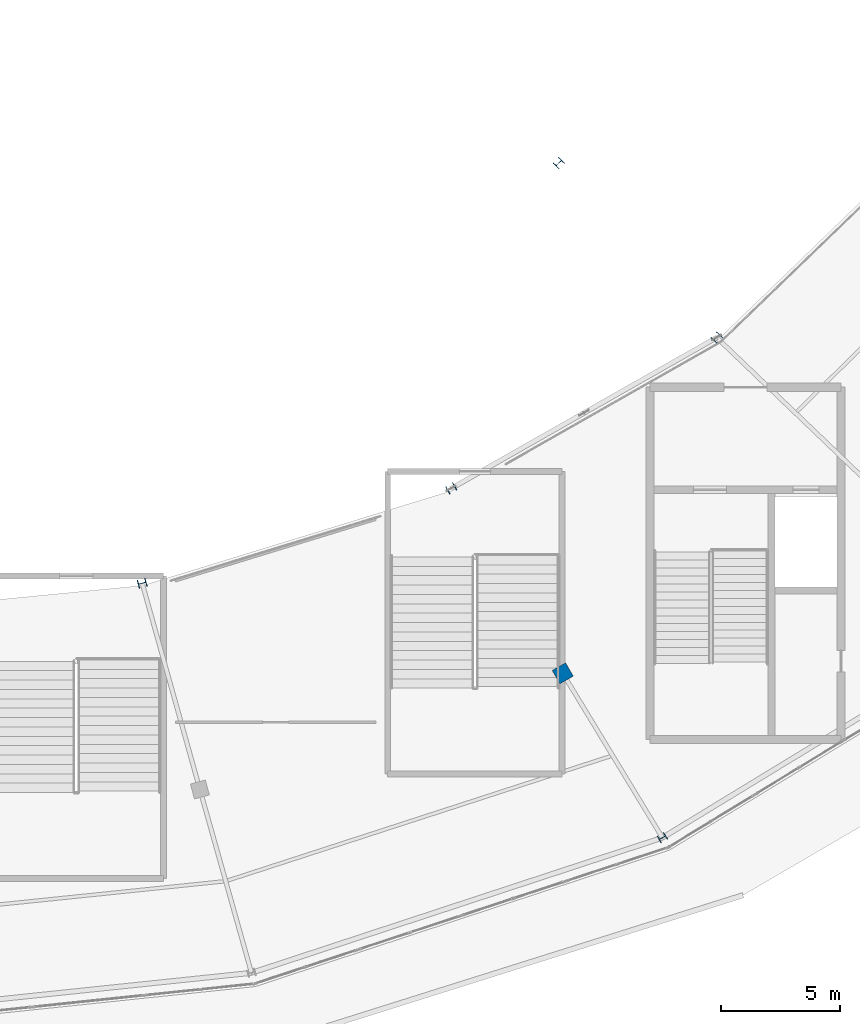
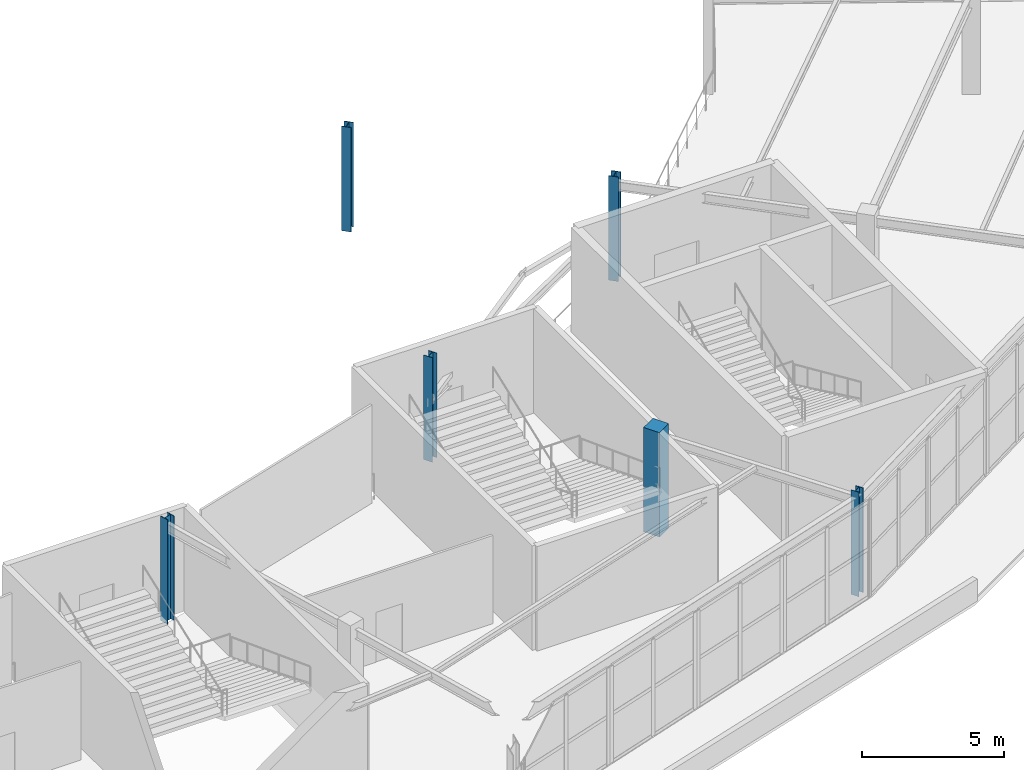
# One storey, part 4 of 126: 6 columns.
"""IFC4 building model written with IfcOpenShell, lengths in metres."""

import ifcopenshell
import ifcopenshell.guid

model = None  # the IFC model being written
_history = None  # IfcOwnerHistory: only IFC2X3 demands one
_inside = {}  # id of a spatial element -> (the spatial element, [elements in it])
_under = {}  # id of a project, library or spatial element -> (it, [spatial elements below it])
_declared = {}  # id of a project -> (the project, [libraries it declares])
_typed = {}  # id of a type object -> (the type object, [elements of that type])
_made_of = {}  # id of a material, layer set ... -> (it, [elements and type objects made of it])


def new_model(schema):
    """Start an empty IFC model of exactly this schema.

    Asked for "IFC4X3", IfcOpenShell would pick the latest addendum, in which some entities
    have other attributes; the version numbers below select the first issue.
    IFC2X3 requires an IfcOwnerHistory on every rooted entity: one is made here for all.
    """
    global model, _history
    if schema == "IFC4X3":
        model = ifcopenshell.file(schema_version=(4, 3, 0, 0))
    else:
        model = ifcopenshell.file(schema=schema)
    _inside.clear()
    _under.clear()
    _declared.clear()
    _typed.clear()
    _made_of.clear()
    _history = None
    if model.schema == "IFC2X3":
        org = make("IfcOrganization", Name="unknown")
        user = make(
            "IfcPersonAndOrganization",
            ThePerson=make("IfcPerson", FamilyName="unknown"),
            TheOrganization=org,
        )
        app = make(
            "IfcApplication",
            ApplicationDeveloper=org,
            Version="unknown",
            ApplicationFullName="unknown",
            ApplicationIdentifier="unknown",
        )
        _history = make(
            "IfcOwnerHistory",
            OwningUser=user,
            OwningApplication=app,
            ChangeAction="ADDED",
            CreationDate=0,
        )
    return model


def make(cls, **values):
    """One entity of the class cls with the attributes given. An attribute that is None is left unset."""
    return model.create_entity(
        cls, **{name: value for name, value in values.items() if value is not None}
    )


def rooted(cls, **values):
    """An entity with a GlobalId (a new one), such as an element, a storey or a relation."""
    return make(cls, GlobalId=ifcopenshell.guid.new(), OwnerHistory=_history, **values)


def si_unit(unit_type, name, prefix=None):
    """IfcSIUnit, for example si_unit("LENGTHUNIT", "METRE", prefix="MILLI")."""
    return make("IfcSIUnit", UnitType=unit_type, Prefix=prefix, Name=name)


def assignment(units):
    """IfcUnitAssignment: the units of a project."""
    return None if units is None else make("IfcUnitAssignment", Units=units)


def point(xyz):
    """IfcCartesianPoint."""
    return None if xyz is None else make("IfcCartesianPoint", Coordinates=xyz)


def direction(xyz):
    """IfcDirection."""
    return None if xyz is None else make("IfcDirection", DirectionRatios=xyz)


def frame(location, z_axis=None, x_axis=None):
    """IfcAxis2Placement3D, a coordinate frame: its origin and axes. An axis left out is left unset."""
    return make(
        "IfcAxis2Placement3D",
        Location=point(location),
        Axis=direction(z_axis),
        RefDirection=direction(x_axis),
    )


def frame_2d(location, x_axis=None):
    """IfcAxis2Placement2D, a coordinate frame in the plane: its origin and x axis."""
    return make(
        "IfcAxis2Placement2D", Location=point(location), RefDirection=direction(x_axis)
    )


def origin():
    """The frame at (0, 0, 0) with its axes left unset."""
    return frame((0.0, 0.0, 0.0))


def origin_2d():
    """The frame at (0, 0) in the plane with its x axis left unset."""
    return frame_2d((0.0, 0.0))


def place(relative_to, where):
    """IfcLocalPlacement: puts the frame where relative to a parent placement (None: the world)."""
    return make(
        "IfcLocalPlacement", PlacementRelTo=relative_to, RelativePlacement=where
    )


def context(
    kind, dimensions, precision=None, world=None, true_north=None, identifier=None
):
    """IfcGeometricRepresentationContext, for example the 3D "Model" context."""
    return make(
        "IfcGeometricRepresentationContext",
        ContextIdentifier=identifier,
        ContextType=kind,
        CoordinateSpaceDimension=dimensions,
        Precision=precision,
        WorldCoordinateSystem=world,
        TrueNorth=true_north,
    )


def subcontext(parent, identifier, kind, view, scale=None):
    """IfcGeometricRepresentationSubContext, for example "Body" below "Model"."""
    return make(
        "IfcGeometricRepresentationSubContext",
        ContextIdentifier=identifier,
        ContextType=kind,
        ParentContext=parent,
        TargetScale=scale,
        TargetView=view,
    )


def project(units=None, contexts=None):
    """IfcProject with its units and contexts."""
    return rooted(
        "IfcProject",
        Name="project",
        RepresentationContexts=contexts,
        UnitsInContext=assignment(units),
    )


def spatial(cls, under=None, at=None, **own):
    """A site, building, storey or space (cls), placed at a placement, below another one or the project."""
    s = rooted(cls, ObjectPlacement=at, **own)
    if under is not None:
        _under.setdefault(under.id(), (under, []))[1].append(s)
    return s


def profile(cls, at=None, kind="AREA", **sizes):
    """A parametric profile (cls). Its sizes go by their IFC names, for example OverallWidth=200.0."""
    return make(cls, ProfileType=kind, Position=at, **sizes)


def rectangle(**sizes):
    """IfcRectangleProfileDef."""
    return profile("IfcRectangleProfileDef", **sizes)


def i_section(**sizes):
    """IfcIShapeProfileDef."""
    return profile("IfcIShapeProfileDef", **sizes)


def extrude(swept, where, along, depth):
    """IfcExtrudedAreaSolid: the profile swept, set in the frame where, extruded along a direction by depth."""
    return make(
        "IfcExtrudedAreaSolid",
        SweptArea=swept,
        Position=where,
        ExtrudedDirection=direction(along),
        Depth=depth,
    )


def shape(context_of_items, identifier, shape_type, items):
    """IfcShapeRepresentation: the items that make up one representation, for example the "Body"."""
    return make(
        "IfcShapeRepresentation",
        ContextOfItems=context_of_items,
        RepresentationIdentifier=identifier,
        RepresentationType=shape_type,
        Items=items,
    )


def material(Name=None, Category=None):
    """IfcMaterial."""
    return make("IfcMaterial", Name=Name, Category=Category)


def material_profile(
    of_material, cross_section, Name=None, Category=None, Priority=None
):
    """IfcMaterialProfile: a cross section and its material."""
    return make(
        "IfcMaterialProfile",
        Name=Name,
        Material=of_material,
        Profile=cross_section,
        Priority=Priority,
        Category=Category,
    )


def profile_set(profiles, Name=None, composite=None):
    """IfcMaterialProfileSet."""
    return make(
        "IfcMaterialProfileSet",
        Name=Name,
        MaterialProfiles=profiles,
        CompositeProfile=composite,
    )


def made_of(thing, what):
    """Note that an element or type object is made of a material, layer set ...; save() writes the relation."""
    if what is not None:
        _made_of.setdefault(what.id(), (what, []))[1].append(thing)
    return thing


def type_object(cls, material=None, **own):
    """A type object (cls), such as IfcWallType, which elements share."""
    return made_of(rooted(cls, **own), material)


def element(
    cls,
    number,
    at=None,
    inside=None,
    cuts=None,
    type_object=None,
    material=None,
    context=None,
    identifier="Body",
    shape_type=None,
    held_by="IfcProductDefinitionShape",
    body=None,
    shapes=None,
    **own,
):
    """One element of the class cls, such as IfcWall. Its Tag is "e" and its number.

    at: its placement. inside: the storey or other place that contains it. cuts: it is an
    opening in that element (IfcRelVoidsElement). A single representation is given by context,
    identifier, shape_type and body (its items); several are given by shapes. held_by: the class
    of the entity that holds the representations. save() writes the other relations.
    """
    e = rooted(cls, Tag="e%d" % number, ObjectPlacement=at, **own)
    if body is not None:
        shapes = [shape(context, identifier, shape_type, body)]
    if shapes is not None:
        e.Representation = make(held_by, Representations=shapes)
    if inside is not None:
        _inside.setdefault(inside.id(), (inside, []))[1].append(e)
    if cuts is not None:
        rooted(
            "IfcRelVoidsElement", RelatingBuildingElement=cuts, RelatedOpeningElement=e
        )
    if type_object is not None:
        _typed.setdefault(type_object.id(), (type_object, []))[1].append(e)
    return made_of(e, material)


def aggregate(whole, parts):
    """IfcRelAggregates: a whole, such as a stair, and the parts it consists of."""
    return rooted("IfcRelAggregates", RelatingObject=whole, RelatedObjects=parts)


def save(model, path):
    """Write the relations noted so far, then the file.

    IfcRelAggregates (storeys below a building ...), IfcRelContainedInSpatialStructure (elements
    in a storey), IfcRelDefinesByType, IfcRelAssociatesMaterial and IfcRelDeclares: one each for
    every whole, place, type object, material and project.
    """
    for whole, parts in _under.values():
        aggregate(whole, parts)
    for where, things in _inside.values():
        rooted(
            "IfcRelContainedInSpatialStructure",
            RelatedElements=things,
            RelatingStructure=where,
        )
    for kind, things in _typed.values():
        rooted("IfcRelDefinesByType", RelatedObjects=things, RelatingType=kind)
    for what, things in _made_of.values():
        rooted("IfcRelAssociatesMaterial", RelatedObjects=things, RelatingMaterial=what)
    for by, libraries in _declared.values():
        rooted("IfcRelDeclares", RelatingContext=by, RelatedDefinitions=libraries)
    model.write(path)


model = new_model("IFC4")

# Units and contexts
model_context = context("Model", 3, precision=1e-05, world=origin(), true_north=direction((0.0, 1.0)))
body_context = subcontext(model_context, "Body", "Model", "MODEL_VIEW")
ifc_project = project(units=[si_unit("LENGTHUNIT", "METRE"), si_unit("AREAUNIT", "SQUARE_METRE"), si_unit("VOLUMEUNIT", "CUBIC_METRE"), si_unit("PLANEANGLEUNIT", "RADIAN"), si_unit("MASSUNIT", "GRAM", prefix="KILO")], contexts=[model_context])

# Site, building, storey
site_placement = place(None, origin())
site = spatial("IfcSite", under=ifc_project, at=site_placement, CompositionType="ELEMENT")
building_placement = place(site_placement, origin())
building = spatial("IfcBuilding", under=site, at=building_placement, Name="Kalgoora Escarpment Arena", CompositionType="ELEMENT")
storey_placement = place(building_placement, frame((0.0, 0.0, 18.89990234375)))
storey = spatial("IfcBuildingStorey", under=building, at=storey_placement, Name="L04", CompositionType="ELEMENT", Elevation=18.89990234375)

# Columns
ifc_material_1 = material(Name="Structural steel AS/NZS 3679 (300 MPa)", Category="steel")
ifc_material_profile_1 = material_profile(ifc_material_1, i_section(OverallWidth=0.31103515625, OverallDepth=0.326904296875, WebThickness=0.015625, FlangeThickness=0.02490234375, at=origin_2d()))
ifc_profile_set_1 = profile_set([ifc_material_profile_1], Name="Structural steel AS/NZS 3679 (300 MPa)")
column_type_1 = type_object("IfcColumnType", Name="COL-COL-310UC158", PredefinedType="COLUMN", material=ifc_profile_set_1)
column_1_placement = place(storey_placement, frame((128.300048828125, 14.63671875, 0.0), z_axis=(0.0, 0.0, 1.0), x_axis=(0.5, -0.866025403784, 0.0)))
element("IfcColumn", 1, at=column_1_placement, inside=storey, type_object=column_type_1, Name="L04 structural column COL-RCONC2-R21", PredefinedType="COLUMN", context=body_context, shape_type="SweptSolid", body=[
    extrude(i_section(OverallWidth=0.31103515625, OverallDepth=0.326904296875, WebThickness=0.015625, FlangeThickness=0.02490234375, at=origin_2d()), origin(), (0.0, 0.0, 1.0), 4.5),
])
ifc_material_2 = material(Name="Structural steel Grade 350 (350 MPa)", Category="steel")
ifc_material_profile_2 = material_profile(ifc_material_2, i_section(OverallWidth=0.35009765625, OverallDepth=0.35009765625, WebThickness=0.013916015625, FlangeThickness=0.02392578125, at=origin_2d()))
ifc_profile_set_2 = profile_set([ifc_material_profile_2], Name="Structural steel Grade 350 (350 MPa)")
column_type_2 = type_object("IfcColumnType", Name="COL-COL-350WC197", PredefinedType="COLUMN", material=ifc_profile_set_2)
for number, where, z_axis, x_axis, name in (
    (2, (106.376220703125, 25.363037109375, 0.0), (0.0, 0.0, 1.0), (0.258819045103, -0.965925826289, 0.0), "L04 structural column COL-RMAIN-R20"),
    (3, (119.39990234375, 29.35888671875, 0.0), (0.0, 0.0, 1.0), (0.5, -0.866025403784, 0.0), "L04 structural column COL-RMAIN-R21"),
    (4, (130.583740234375, 35.7158203125, 0.0), (0.0, 0.0, 1.0), (0.707106781187, -0.707106781187, 0.0), "L04 structural column COL-RMAIN-R22"),
    (5, (123.93701171875, 43.069580078125, 0.0), (0.0, 0.0, 1.0), (0.707106781187, -0.707106781187, 0.0), "L04 structural column COL-TSPINE-S08"),
):
    element("IfcColumn", number, at=place(storey_placement, frame(where, z_axis=z_axis, x_axis=x_axis)), inside=storey, type_object=column_type_2, Name=name, PredefinedType="COLUMN", context=body_context, shape_type="SweptSolid", body=[
        extrude(i_section(OverallWidth=0.35009765625, OverallDepth=0.35009765625, WebThickness=0.013916015625, FlangeThickness=0.02392578125, at=origin_2d()), origin(), (0.0, 0.0, 1.0), 4.5),
    ])
ifc_material_3 = material(Name="Concrete N50 (fc' 50 MPa)", Category="concrete")
ifc_material_profile_3 = material_profile(ifc_material_3, rectangle(XDim=0.64990234375, YDim=0.64990234375, at=origin_2d()))
ifc_profile_set_3 = profile_set([ifc_material_profile_3], Name="Concrete N50 (fc' 50 MPa)")
column_type_3 = type_object("IfcColumnType", Name="COL-COL-RC650x650", PredefinedType="COLUMN", material=ifc_profile_set_3)
column_2_placement = place(storey_placement, frame((124.10009765625, 21.564697265625, 0.0), z_axis=(0.0, 0.0, 1.0), x_axis=(0.5, -0.866025403784, 0.0)))
element("IfcColumn", 6, at=column_2_placement, inside=storey, type_object=column_type_3, Name="L04 structural column COL-RCONC1-R21", PredefinedType="COLUMN", context=body_context, shape_type="SweptSolid", body=[
    extrude(rectangle(XDim=0.64990234375, YDim=0.64990234375, at=origin_2d()), origin(), (0.0, 0.0, 1.0), 4.5),
])

save(model, "model.ifc")
